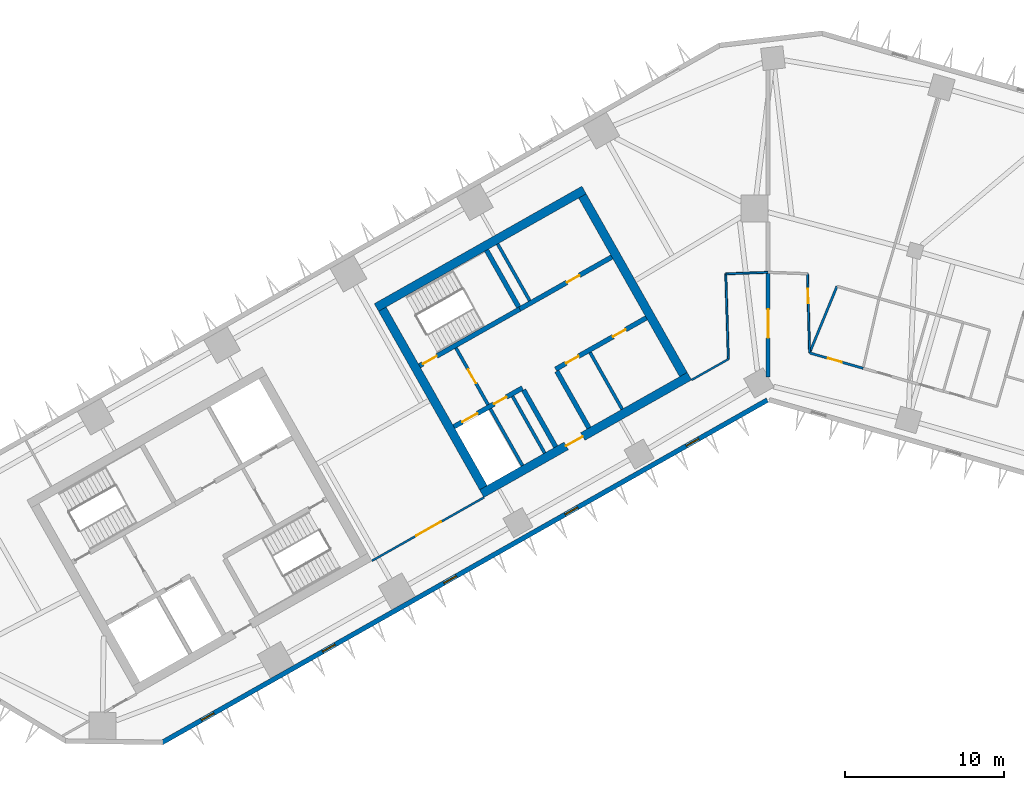
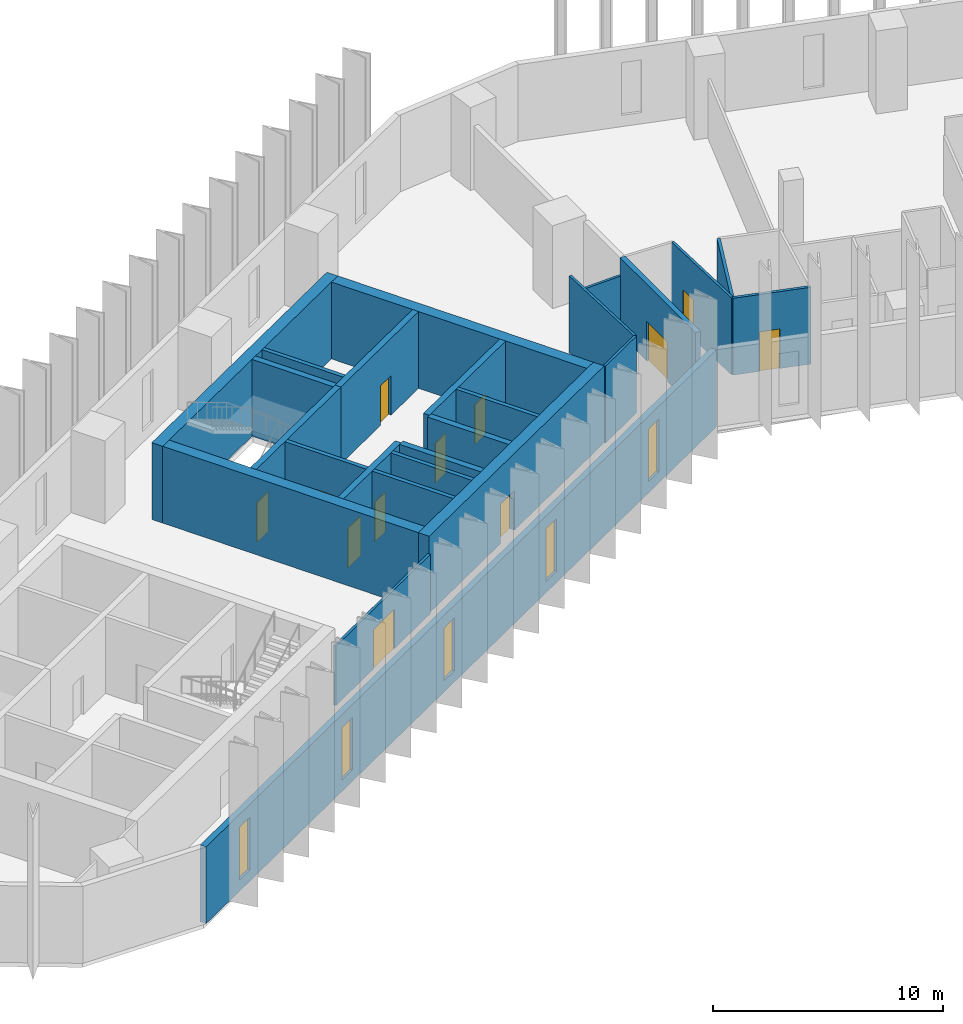
# One storey, part 4 of 11: 25 walls, 12 doors, 5 windows, 17 openings.
"""IFC4 building model written with IfcOpenShell, lengths in metres."""

from ifc_helpers import new_model, si_unit, direction, frame, frame_2d, origin, place, context, subcontext, project, spatial, rectangle, extrude, material, layer, layer_set, type_object, element, fill, save


model = new_model("IFC4")

# Units and contexts
model_context = context("Model", 3, precision=1e-05, world=origin(), true_north=direction((0.0, 1.0)))
body_context = subcontext(model_context, "Body", "Model", "MODEL_VIEW")
ifc_project = project(units=[si_unit("LENGTHUNIT", "METRE"), si_unit("AREAUNIT", "SQUARE_METRE"), si_unit("VOLUMEUNIT", "CUBIC_METRE"), si_unit("PLANEANGLEUNIT", "RADIAN"), si_unit("MASSUNIT", "GRAM", prefix="KILO")], contexts=[model_context])

# Site, building, storey
site_placement = place(None, origin())
site = spatial("IfcSite", under=ifc_project, at=site_placement, CompositionType="ELEMENT")
building_placement = place(site_placement, origin())
building = spatial("IfcBuilding", under=site, at=building_placement, Name="Binnacle Exchange Tower", CompositionType="ELEMENT")
storey_placement = place(building_placement, frame((0.0, 0.0, 114.699951171875)))
storey = spatial("IfcBuildingStorey", under=building, at=storey_placement, Name="L23", CompositionType="ELEMENT", Elevation=114.699951171875)

# Wall
ifc_material_1 = material(Name="Gypsum partition fire rated")
ifc_layer_1 = layer(ifc_material_1, 0.199951171875)
ifc_layer_set_1 = layer_set([ifc_layer_1], Name="Core partition 200")
wall_type_1 = type_object("IfcWallType", Name="Core partition 200", PredefinedType="PARTITIONING", material=ifc_layer_set_1)
wall_1_placement = place(storey_placement, frame((-11.201904296875, 50.96240234375, 0.0), z_axis=(0.0, 0.0, 1.0), x_axis=(0.492428039142, -0.870353161807, 0.0)))
element("IfcWall", 1, at=wall_1_placement, inside=storey, type_object=wall_type_1, Name="Core wall CRWC19", PredefinedType="PARTITIONING", context=body_context, shape_type="SweptSolid", body=[
    extrude(rectangle(XDim=4.10009765625, YDim=0.199951171875, at=frame_2d((2.050048828125, 0.0))), origin(), (0.0, 0.0, 1.0), 4.080078125),
])

# Wall, openings, doors
ifc_material_2 = material(Name="Concrete C70/85", Category="concrete")
ifc_layer_2 = layer(ifc_material_2, 0.300048828125)
ifc_layer_set_2 = layer_set([ifc_layer_2], Name="Core wall - front 300")
wall_type_2 = type_object("IfcWallType", Name="Core wall - front 300", PredefinedType="SOLIDWALL", material=ifc_layer_set_2)
wall_2_placement = place(storey_placement, frame((-19.76171875, 46.291748046875, 0.0), z_axis=(0.0, 0.0, 1.0), x_axis=(0.870359758983, 0.49241637863, 0.0)))
wall_2 = element("IfcWall", 2, at=wall_2_placement, inside=storey, type_object=wall_type_2, Name="Core wall CRWC2", PredefinedType="SOLIDWALL", context=body_context, shape_type="SweptSolid", body=[
    extrude(rectangle(XDim=4.9501953125, YDim=0.300048828125, at=frame_2d((2.47509765625, 0.0))), origin(), (0.0, 0.0, 1.0), 4.080078125),
])
opening_1_placement = place(wall_2_placement, frame((0.60009765625, 0.0, 0.0)))
opening_1 = element("IfcOpeningElement", 3, at=opening_1_placement, cuts=wall_2, Name="Opening LD14", PredefinedType="OPENING", context=body_context, shape_type="SweptSolid", body=[
    extrude(rectangle(XDim=1.10009765625, YDim=2.10009765625, at=frame_2d((0.550048828125, 1.050048828125))), frame((0.0, 0.159912109375, 0.0), z_axis=(0.0, -1.0, 0.0), x_axis=(1.0, 0.0, 0.0)), (0.0, 0.0, 1.0), 0.320068359375),
])
opening_2_placement = place(wall_2_placement, frame((2.89990234375, 0.0, 0.0)))
opening_2 = element("IfcOpeningElement", 4, at=opening_2_placement, cuts=wall_2, Name="Opening DC14", PredefinedType="OPENING", context=body_context, shape_type="SweptSolid", body=[
    extrude(rectangle(XDim=0.89990234375, YDim=2.10009765625, at=frame_2d((0.449951171875, 1.050048828125))), frame((0.0, 0.159912109375, 0.0), z_axis=(0.0, -1.0, 0.0), x_axis=(1.0, 0.0, 0.0)), (0.0, 0.0, 1.0), 0.320068359375),
])
ifc_material_3 = material(Name="Steel door leaf", Category="steel")
door_type_1 = type_object("IfcDoorType", Name="Fire door - lift landing 1100", OperationType="NOTDEFINED", PredefinedType="DOOR", material=ifc_material_3)
door_1_placement = place(opening_1_placement, origin())
door_1 = element("IfcDoor", 5, at=door_1_placement, inside=storey, type_object=door_type_1, Name="Landing door LD14 L23", OperationType="DOUBLE_DOOR_SLIDING", OverallHeight=2.10009765625, OverallWidth=1.10009765625, PredefinedType="DOOR", context=body_context, shape_type="SweptSolid", body=[
    extrude(rectangle(XDim=1.10009765625, YDim=2.10009765625, at=frame_2d((0.550048828125, 1.050048828125))), frame((0.0, 0.02490234375, 0.0), z_axis=(0.0, -1.0, 0.0), x_axis=(1.0, 0.0, 0.0)), (0.0, 0.0, 1.0), 0.050048828125),
])
fill(opening_1, door_1)
door_type_2 = type_object("IfcDoorType", Name="Fire door 900", OperationType="NOTDEFINED", PredefinedType="DOOR", material=ifc_material_3)
door_2_placement = place(opening_2_placement, frame((0.89990234375, 0.0, 0.0), z_axis=(0.0, 0.0, 1.0), x_axis=(-1.0, 0.0, 0.0)))
door_2 = element("IfcDoor", 6, at=door_2_placement, inside=storey, type_object=door_type_2, Name="Core room door UPS CUPBOARD", OperationType="SINGLE_SWING_LEFT", OverallHeight=2.10009765625, OverallWidth=0.89990234375, PredefinedType="DOOR", context=body_context, shape_type="SweptSolid", body=[
    extrude(rectangle(XDim=0.89990234375, YDim=2.10009765625, at=frame_2d((0.449951171875, 1.050048828125))), frame((0.0, 0.02490234375, 0.0), z_axis=(0.0, -1.0, 0.0), x_axis=(1.0, 0.0, 0.0)), (0.0, 0.0, 1.0), 0.050048828125),
])
fill(opening_2, door_2)

wall_3_placement = place(storey_placement, frame((-13.364501953125, 49.910888671875, 0.0), z_axis=(0.0, 0.0, 1.0), x_axis=(0.870336435567, 0.492457601144, 0.0)))
wall_3 = element("IfcWall", 7, at=wall_3_placement, inside=storey, type_object=wall_type_2, Name="Core wall CRWC3", PredefinedType="SOLIDWALL", context=body_context, shape_type="SweptSolid", body=[
    extrude(rectangle(XDim=6.550048828125, YDim=0.300048828125, at=frame_2d((3.27490234375, 0.0))), origin(), (0.0, 0.0, 1.0), 4.080078125),
])
opening_3_placement = place(wall_3_placement, frame((0.75, 0.0, 0.0)))
opening_3 = element("IfcOpeningElement", 8, at=opening_3_placement, cuts=wall_3, Name="Opening DC18", PredefinedType="OPENING", context=body_context, shape_type="SweptSolid", body=[
    extrude(rectangle(XDim=0.89990234375, YDim=2.10009765625, at=frame_2d((0.449951171875, 1.050048828125))), frame((0.0, 0.159912109375, 0.0), z_axis=(0.0, -1.0, 0.0), x_axis=(1.0, 0.0, 0.0)), (0.0, 0.0, 1.0), 0.320068359375),
])
opening_4_placement = place(wall_3_placement, frame((4.14990234375, 0.0, 0.0)))
opening_4 = element("IfcOpeningElement", 9, at=opening_4_placement, cuts=wall_3, Name="Opening DC19", PredefinedType="OPENING", context=body_context, shape_type="SweptSolid", body=[
    extrude(rectangle(XDim=0.89990234375, YDim=2.10009765625, at=frame_2d((0.449951171875, 1.050048828125))), frame((0.0, 0.159912109375, 0.0), z_axis=(0.0, -1.0, 0.0), x_axis=(1.0, 0.0, 0.0)), (0.0, 0.0, 1.0), 0.320068359375),
])
door_3_placement = place(opening_3_placement, frame((0.89990234375, 0.0, 0.0), z_axis=(0.0, 0.0, 1.0), x_axis=(-1.0, 0.0, 0.0)))
door_3 = element("IfcDoor", 10, at=door_3_placement, inside=storey, type_object=door_type_2, Name="Core room door FIBRE ENTRY ROOM", OperationType="SINGLE_SWING_RIGHT", OverallHeight=2.10009765625, OverallWidth=0.89990234375, PredefinedType="DOOR", context=body_context, shape_type="SweptSolid", body=[
    extrude(rectangle(XDim=0.89990234375, YDim=2.10009765625, at=frame_2d((0.449951171875, 1.050048828125))), frame((0.0, 0.02490234375, 0.0), z_axis=(0.0, -1.0, 0.0), x_axis=(1.0, 0.0, 0.0)), (0.0, 0.0, 1.0), 0.050048828125),
])
fill(opening_3, door_3)
door_4_placement = place(opening_4_placement, frame((0.89990234375, 0.0, 0.0), z_axis=(0.0, 0.0, 1.0), x_axis=(-1.0, 0.0, 0.0)))
door_4 = element("IfcDoor", 11, at=door_4_placement, inside=storey, type_object=door_type_2, Name="Core room door TELECOM RISER ROOM", OperationType="SINGLE_SWING_LEFT", OverallHeight=2.10009765625, OverallWidth=0.89990234375, PredefinedType="DOOR", context=body_context, shape_type="SweptSolid", body=[
    extrude(rectangle(XDim=0.89990234375, YDim=2.10009765625, at=frame_2d((0.449951171875, 1.050048828125))), frame((0.0, 0.02490234375, 0.0), z_axis=(0.0, -1.0, 0.0), x_axis=(1.0, 0.0, 0.0)), (0.0, 0.0, 1.0), 0.050048828125),
])
fill(opening_4, door_4)

# Wall, opening, door
wall_4_placement = place(storey_placement, frame((-15.6181640625, 53.69140625, 0.0), z_axis=(0.0, 0.0, 1.0), x_axis=(0.870367894134, 0.492401999246, 0.0)))
wall_4 = element("IfcWall", 12, at=wall_4_placement, inside=storey, type_object=wall_type_2, Name="Core wall CRWC5", PredefinedType="SOLIDWALL", context=body_context, shape_type="SweptSolid", body=[
    extrude(rectangle(XDim=6.64990234375, YDim=0.300048828125, at=frame_2d((3.324951171875, 0.0))), origin(), (0.0, 0.0, 1.0), 4.080078125),
])
opening_5_placement = place(wall_4_placement, frame((3.400146484375, 0.0, 0.0)))
opening_5 = element("IfcOpeningElement", 13, at=opening_5_placement, cuts=wall_4, Name="Opening DC10", PredefinedType="OPENING", context=body_context, shape_type="SweptSolid", body=[
    extrude(rectangle(XDim=0.89990234375, YDim=2.10009765625, at=frame_2d((0.449951171875, 1.050048828125))), frame((0.0, 0.159912109375, 0.0), z_axis=(0.0, -1.0, 0.0), x_axis=(1.0, 0.0, 0.0)), (0.0, 0.0, 1.0), 0.320068359375),
])
door_5_placement = place(opening_5_placement, origin())
door_5 = element("IfcDoor", 14, at=door_5_placement, inside=storey, type_object=door_type_2, Name="Core room door WORKSHOP STORE", OperationType="SINGLE_SWING_RIGHT", OverallHeight=2.10009765625, OverallWidth=0.89990234375, PredefinedType="DOOR", context=body_context, shape_type="SweptSolid", body=[
    extrude(rectangle(XDim=0.89990234375, YDim=2.10009765625, at=frame_2d((0.449951171875, 1.050048828125))), frame((0.0, 0.02490234375, 0.0), z_axis=(0.0, -1.0, 0.0), x_axis=(1.0, 0.0, 0.0)), (0.0, 0.0, 1.0), 0.050048828125),
])
fill(opening_5, door_5)

# Walls
wall_5_placement = place(storey_placement, frame((-15.37939453125, 48.5986328125, 0.0), z_axis=(0.0, 0.0, 1.0), x_axis=(0.492408451753, -0.87036424366, 0.0)))
element("IfcWall", 15, at=wall_5_placement, inside=storey, type_object=wall_type_2, Name="Core wall CRWC13", PredefinedType="SOLIDWALL", context=body_context, shape_type="SweptSolid", body=[
    extrude(rectangle(XDim=4.099853515625, YDim=0.300048828125, at=frame_2d((2.0498046875, 0.0))), origin(), (0.0, 0.0, 1.0), 4.080078125),
])
wall_6_placement = place(storey_placement, frame((-13.29052734375, 49.780517578125, 0.0), z_axis=(0.0, 0.0, 1.0), x_axis=(0.492382931784, -0.870378681085, 0.0)))
element("IfcWall", 16, at=wall_6_placement, inside=storey, type_object=wall_type_2, Name="Core wall CRWC15", PredefinedType="SOLIDWALL", context=body_context, shape_type="SweptSolid", body=[
    extrude(rectangle(XDim=4.10009765625, YDim=0.300048828125, at=frame_2d((2.050048828125, 0.0))), origin(), (0.0, 0.0, 1.0), 4.080078125),
])

# Wall, opening, door
ifc_layer_3 = layer(ifc_material_2, 0.550048828125)
ifc_layer_set_3 = layer_set([ifc_layer_3], Name="Core wall - outer 550")
wall_type_3 = type_object("IfcWallType", Name="Core wall - outer 550", PredefinedType="SOLIDWALL", material=ifc_layer_set_3)
wall_7_placement = place(storey_placement, frame((-18.01220703125, 42.08251953125, 0.0), z_axis=(0.0, 0.0, 1.0), x_axis=(0.870360574057, 0.492414937962, 0.0)))
wall_7 = element("IfcWall", 17, at=wall_7_placement, inside=storey, type_object=wall_type_3, Name="Core wall CRWC1", PredefinedType="SOLIDWALL", context=body_context, shape_type="SweptSolid", body=[
    extrude(rectangle(XDim=15.0, YDim=0.550048828125, at=frame_2d((7.5, 0.0))), origin(), (0.0, 0.0, 1.0), 4.080078125),
])
opening_6_placement = place(wall_7_placement, frame((6.10009765625, 0.0, 0.0)))
opening_6 = element("IfcOpeningElement", 18, at=opening_6_placement, cuts=wall_7, Name="Opening DC7", PredefinedType="OPENING", context=body_context, shape_type="SweptSolid", body=[
    extrude(rectangle(XDim=1.199951171875, YDim=2.10009765625, at=frame_2d((0.60009765625, 1.050048828125))), frame((0.0, 0.284912109375, 0.0), z_axis=(0.0, -1.0, 0.0), x_axis=(1.0, 0.0, 0.0)), (0.0, 0.0, 1.0), 0.570068359375),
])
door_type_3 = type_object("IfcDoorType", Name="Fire door 1200", OperationType="NOTDEFINED", PredefinedType="DOOR", material=ifc_material_3)
door_6_placement = place(opening_6_placement, frame((1.199951171875, 0.0, 0.0), z_axis=(0.0, 0.0, 1.0), x_axis=(-1.0, 0.0, 0.0)))
door_6 = element("IfcDoor", 19, at=door_6_placement, inside=storey, type_object=door_type_3, Name="Lift lobby entrance door core C", OperationType="SINGLE_SWING_RIGHT", OverallHeight=2.10009765625, OverallWidth=1.199951171875, PredefinedType="DOOR", context=body_context, shape_type="SweptSolid", body=[
    extrude(rectangle(XDim=1.199951171875, YDim=2.10009765625, at=frame_2d((0.60009765625, 1.050048828125))), frame((0.0, 0.02490234375, 0.0), z_axis=(0.0, -1.0, 0.0), x_axis=(1.0, 0.0, 0.0)), (0.0, 0.0, 1.0), 0.050048828125),
])
fill(opening_6, door_6)

# Walls
wall_8_placement = place(storey_placement, frame((-24.63525390625, 53.788818359375, 0.0), z_axis=(0.0, 0.0, 1.0), x_axis=(0.870360574057, 0.492414937962, 0.0)))
element("IfcWall", 20, at=wall_8_placement, inside=storey, type_object=wall_type_3, Name="Core wall CRWC6", PredefinedType="SOLIDWALL", context=body_context, shape_type="SweptSolid", body=[
    extrude(rectangle(XDim=15.0, YDim=0.550048828125, at=frame_2d((7.5, 0.0))), origin(), (0.0, 0.0, 1.0), 4.080078125),
])
for number, where, z_axis, x_axis, name in (
    (21, (-24.260498046875, 53.684814453125, 0.0), (0.0, 0.0, 1.0), (0.492427022044, -0.870353737259, 0.0), "Core wall CRWC7"),
    (22, (-11.683837890625, 60.80029296875, 0.0), (0.0, 0.0, 1.0), (0.492427022044, -0.870353737259, 0.0), "Core wall CRWC24"),
):
    element("IfcWall", number, at=place(storey_placement, frame(where, z_axis=z_axis, x_axis=x_axis)), inside=storey, type_object=wall_type_3, Name=name, PredefinedType="SOLIDWALL", context=body_context, shape_type="SweptSolid", body=[
        extrude(rectangle(XDim=12.89990234375, YDim=0.550048828125, at=frame_2d((6.449951171875, 0.0))), origin(), (0.0, 0.0, 1.0), 4.080078125),
    ])

# Wall, opening, door
ifc_layer_4 = layer(ifc_material_2, 0.300048828125)
ifc_layer_set_4 = layer_set([ifc_layer_4], Name="Core wall - stair 300")
wall_type_4 = type_object("IfcWallType", Name="Core wall - stair 300", PredefinedType="SOLIDWALL", material=ifc_layer_set_4)
wall_9_placement = place(storey_placement, frame((-21.92822265625, 50.12109375, 0.0), z_axis=(0.0, 0.0, 1.0), x_axis=(0.870340732628, 0.49245000673, 0.0)))
wall_9 = element("IfcWall", 23, at=wall_9_placement, inside=storey, type_object=wall_type_4, Name="Core wall CRWC4", PredefinedType="SOLIDWALL", context=body_context, shape_type="SweptSolid", body=[
    extrude(rectangle(XDim=7.25, YDim=0.300048828125, at=frame_2d((3.625, 0.0))), origin(), (0.0, 0.0, 1.0), 4.080078125),
])
opening_7_placement = place(wall_9_placement, frame((0.25, 0.0, 0.0)))
opening_7 = element("IfcOpeningElement", 24, at=opening_7_placement, cuts=wall_9, Name="Opening DC1", PredefinedType="OPENING", context=body_context, shape_type="SweptSolid", body=[
    extrude(rectangle(XDim=1.0, YDim=2.10009765625, at=frame_2d((0.5, 1.050048828125))), frame((0.0, 0.159912109375, 0.0), z_axis=(0.0, -1.0, 0.0), x_axis=(1.0, 0.0, 0.0)), (0.0, 0.0, 1.0), 0.320068359375),
])
door_type_4 = type_object("IfcDoorType", Name="Fire door 1000", OperationType="NOTDEFINED", PredefinedType="DOOR", material=ifc_material_3)
door_7_placement = place(opening_7_placement, origin())
door_7 = element("IfcDoor", 25, at=door_7_placement, inside=storey, type_object=door_type_4, Name="Stair door ST-C1", OperationType="SINGLE_SWING_LEFT", OverallHeight=2.10009765625, OverallWidth=1.0, PredefinedType="DOOR", context=body_context, shape_type="SweptSolid", body=[
    extrude(rectangle(XDim=1.0, YDim=2.10009765625, at=frame_2d((0.5, 1.050048828125))), frame((0.0, 0.02490234375, 0.0), z_axis=(0.0, -1.0, 0.0), x_axis=(1.0, 0.0, 0.0)), (0.0, 0.0, 1.0), 0.050048828125),
])
fill(opening_7, door_7)

# Wall
wall_10_placement = place(storey_placement, frame((-17.7109375, 57.390380859375, 0.0), z_axis=(0.0, 0.0, 1.0), x_axis=(0.492408451753, -0.87036424366, 0.0)))
element("IfcWall", 26, at=wall_10_placement, inside=storey, type_object=wall_type_4, Name="Core wall CRWC14", PredefinedType="SOLIDWALL", context=body_context, shape_type="SweptSolid", body=[
    extrude(rectangle(XDim=4.099853515625, YDim=0.300048828125, at=frame_2d((2.0498046875, 0.0))), origin(), (0.0, 0.0, 1.0), 4.080078125),
])

# Wall, openings, windows
ifc_material_4 = material(Name="Bronze aluminium cladding", Category="aluminium")
ifc_layer_5 = layer(ifc_material_4, 0.300048828125)
ifc_layer_set_5 = layer_set([ifc_layer_5], Name="External wall - spandrel 300")
wall_type_5 = type_object("IfcWallType", Name="External wall - spandrel 300", PredefinedType="STANDARD", material=ifc_layer_set_5)
wall_11_placement = place(storey_placement, frame((-0.0546875, 47.968994140625, 0.0), z_axis=(0.0, 0.0, 1.0), x_axis=(-0.870355730478, -0.492423499058, 0.0)))
wall_11 = element("IfcWall", 27, at=wall_11_placement, inside=storey, type_object=wall_type_5, Name="External wall EW-F07 L23", PredefinedType="STANDARD", context=body_context, shape_type="SweptSolid", body=[
    extrude(rectangle(XDim=43.750244140625, YDim=0.300048828125, at=frame_2d((21.875, 0.0))), origin(), (0.0, 0.0, 1.0), 4.080078125),
])
opening_8_placement = place(wall_11_placement, frame((39.976806640625, 0.0, 0.60009765625)))
opening_8 = element("IfcOpeningElement", 28, at=opening_8_placement, cuts=wall_11, Name="Opening WS2", PredefinedType="OPENING", context=body_context, shape_type="SweptSolid", body=[
    extrude(rectangle(XDim=0.89990234375, YDim=2.800048828125, at=frame_2d((0.449951171875, 1.39990234375))), frame((0.0, 0.159912109375, 0.0), z_axis=(0.0, -1.0, 0.0), x_axis=(1.0, 0.0, 0.0)), (0.0, 0.0, 1.0), 0.320068359375),
])
opening_9_placement = place(wall_11_placement, frame((31.222412109375, 0.0, 0.60009765625)))
opening_9 = element("IfcOpeningElement", 29, at=opening_9_placement, cuts=wall_11, Name="Opening WS2", PredefinedType="OPENING", context=body_context, shape_type="SweptSolid", body=[
    extrude(rectangle(XDim=0.89990234375, YDim=2.800048828125, at=frame_2d((0.449951171875, 1.39990234375))), frame((0.0, 0.159912109375, 0.0), z_axis=(0.0, -1.0, 0.0), x_axis=(1.0, 0.0, 0.0)), (0.0, 0.0, 1.0), 0.320068359375),
])
opening_10_placement = place(wall_11_placement, frame((22.4677734375, 0.0, 0.60009765625)))
opening_10 = element("IfcOpeningElement", 30, at=opening_10_placement, cuts=wall_11, Name="Opening WS2", PredefinedType="OPENING", context=body_context, shape_type="SweptSolid", body=[
    extrude(rectangle(XDim=0.89990234375, YDim=2.800048828125, at=frame_2d((0.449951171875, 1.39990234375))), frame((0.0, 0.159912109375, 0.0), z_axis=(0.0, -1.0, 0.0), x_axis=(1.0, 0.0, 0.0)), (0.0, 0.0, 1.0), 0.320068359375),
])
opening_11_placement = place(wall_11_placement, frame((13.713134765625, 0.0, 0.60009765625)))
opening_11 = element("IfcOpeningElement", 31, at=opening_11_placement, cuts=wall_11, Name="Opening WS2", PredefinedType="OPENING", context=body_context, shape_type="SweptSolid", body=[
    extrude(rectangle(XDim=0.89990234375, YDim=2.800048828125, at=frame_2d((0.449951171875, 1.39990234375))), frame((0.0, 0.159912109375, 0.0), z_axis=(0.0, -1.0, 0.0), x_axis=(1.0, 0.0, 0.0)), (0.0, 0.0, 1.0), 0.320068359375),
])
opening_12_placement = place(wall_11_placement, frame((4.958740234375, 0.0, 0.60009765625)))
opening_12 = element("IfcOpeningElement", 32, at=opening_12_placement, cuts=wall_11, Name="Opening WS2", PredefinedType="OPENING", context=body_context, shape_type="SweptSolid", body=[
    extrude(rectangle(XDim=0.89990234375, YDim=2.800048828125, at=frame_2d((0.449951171875, 1.39990234375))), frame((0.0, 0.159912109375, 0.0), z_axis=(0.0, -1.0, 0.0), x_axis=(1.0, 0.0, 0.0)), (0.0, 0.0, 1.0), 0.320068359375),
])
ifc_material_5 = material(Name="Bronze anodised aluminium frame", Category="aluminium")
window_type = type_object("IfcWindowType", Name="WS2 WINDOW 900x2800", PartitioningType="SINGLE_PANEL", PredefinedType="WINDOW", material=ifc_material_5)
window_1_placement = place(opening_8_placement, origin())
window_1 = element("IfcWindow", 33, at=window_1_placement, inside=storey, type_object=window_type, Name="Window WS2 L23", OverallHeight=2.800048828125, OverallWidth=0.89990234375, PartitioningType="SINGLE_PANEL", PredefinedType="WINDOW", context=body_context, shape_type="SweptSolid", body=[
    extrude(rectangle(XDim=0.89990234375, YDim=2.800048828125, at=frame_2d((0.449951171875, 1.39990234375))), frame((0.0, 0.030029296875, 0.0), z_axis=(0.0, -1.0, 0.0), x_axis=(1.0, 0.0, 0.0)), (0.0, 0.0, 1.0), 0.06005859375),
])
fill(opening_8, window_1)
window_2_placement = place(opening_9_placement, origin())
window_2 = element("IfcWindow", 34, at=window_2_placement, inside=storey, type_object=window_type, Name="Window WS2 L23", OverallHeight=2.800048828125, OverallWidth=0.89990234375, PartitioningType="SINGLE_PANEL", PredefinedType="WINDOW", context=body_context, shape_type="SweptSolid", body=[
    extrude(rectangle(XDim=0.89990234375, YDim=2.800048828125, at=frame_2d((0.449951171875, 1.39990234375))), frame((0.0, 0.030029296875, 0.0), z_axis=(0.0, -1.0, 0.0), x_axis=(1.0, 0.0, 0.0)), (0.0, 0.0, 1.0), 0.06005859375),
])
fill(opening_9, window_2)
window_3_placement = place(opening_10_placement, origin())
window_3 = element("IfcWindow", 35, at=window_3_placement, inside=storey, type_object=window_type, Name="Window WS2 L23", OverallHeight=2.800048828125, OverallWidth=0.89990234375, PartitioningType="SINGLE_PANEL", PredefinedType="WINDOW", context=body_context, shape_type="SweptSolid", body=[
    extrude(rectangle(XDim=0.89990234375, YDim=2.800048828125, at=frame_2d((0.449951171875, 1.39990234375))), frame((0.0, 0.030029296875, 0.0), z_axis=(0.0, -1.0, 0.0), x_axis=(1.0, 0.0, 0.0)), (0.0, 0.0, 1.0), 0.06005859375),
])
fill(opening_10, window_3)
window_4_placement = place(opening_11_placement, origin())
window_4 = element("IfcWindow", 36, at=window_4_placement, inside=storey, type_object=window_type, Name="Window WS2 L23", OverallHeight=2.800048828125, OverallWidth=0.89990234375, PartitioningType="SINGLE_PANEL", PredefinedType="WINDOW", context=body_context, shape_type="SweptSolid", body=[
    extrude(rectangle(XDim=0.89990234375, YDim=2.800048828125, at=frame_2d((0.449951171875, 1.39990234375))), frame((0.0, 0.030029296875, 0.0), z_axis=(0.0, -1.0, 0.0), x_axis=(1.0, 0.0, 0.0)), (0.0, 0.0, 1.0), 0.06005859375),
])
fill(opening_11, window_4)
window_5_placement = place(opening_12_placement, origin())
window_5 = element("IfcWindow", 37, at=window_5_placement, inside=storey, type_object=window_type, Name="Window WS2 L23", OverallHeight=2.800048828125, OverallWidth=0.89990234375, PartitioningType="SINGLE_PANEL", PredefinedType="WINDOW", context=body_context, shape_type="SweptSolid", body=[
    extrude(rectangle(XDim=0.89990234375, YDim=2.800048828125, at=frame_2d((0.449951171875, 1.39990234375))), frame((0.0, 0.030029296875, 0.0), z_axis=(0.0, -1.0, 0.0), x_axis=(1.0, 0.0, 0.0)), (0.0, 0.0, 1.0), 0.06005859375),
])
fill(opening_12, window_5)

# Wall, opening, door
ifc_material_6 = material(Name="Concrete fire wall C30/37", Category="concrete")
ifc_layer_6 = layer(ifc_material_6, 0.25)
ifc_layer_set_6 = layer_set([ifc_layer_6], Name="Fire wall - compartment 250")
wall_type_6 = type_object("IfcWallType", Name="Fire wall - compartment 250", PredefinedType="PARTITIONING", material=ifc_layer_set_6)
wall_12_placement = place(storey_placement, frame((0.0, 49.422119140625, 0.0), z_axis=(0.0, 0.0, 1.0), x_axis=(0.0, 1.0, 0.0)))
wall_12 = element("IfcWall", 38, at=wall_12_placement, inside=storey, type_object=wall_type_6, Name="Fire Wall W08", PredefinedType="PARTITIONING", context=body_context, shape_type="SweptSolid", body=[
    extrude(rectangle(XDim=6.577880859375, YDim=0.25, at=frame_2d((3.2890625, 0.0))), origin(), (0.0, 0.0, 1.0), 4.080078125),
])
opening_13_placement = place(wall_12_placement, frame((2.449951171875, 0.0, 0.0)))
opening_13 = element("IfcOpeningElement", 39, at=opening_13_placement, cuts=wall_12, Name="Opening DL22-12", PredefinedType="OPENING", context=body_context, shape_type="SweptSolid", body=[
    extrude(rectangle(XDim=1.800048828125, YDim=2.10009765625, at=frame_2d((0.89990234375, 1.050048828125))), frame((0.0, 0.135009765625, 0.0), z_axis=(0.0, -1.0, 0.0), x_axis=(1.0, 0.0, 0.0)), (0.0, 0.0, 1.0), 0.27001953125),
])
door_type_5 = type_object("IfcDoorType", Name="Fire door 1800", OperationType="NOTDEFINED", PredefinedType="DOOR", material=ifc_material_3)
door_8_placement = place(opening_13_placement, origin())
door_8 = element("IfcDoor", 40, at=door_8_placement, inside=storey, type_object=door_type_5, Name="Door DL22-12", OperationType="DOUBLE_DOOR_SINGLE_SWING", OverallHeight=2.10009765625, OverallWidth=1.800048828125, PredefinedType="DOOR", context=body_context, shape_type="SweptSolid", body=[
    extrude(rectangle(XDim=1.800048828125, YDim=2.10009765625, at=frame_2d((0.89990234375, 1.050048828125))), frame((0.0, 0.02490234375, 0.0), z_axis=(0.0, -1.0, 0.0), x_axis=(1.0, 0.0, 0.0)), (0.0, 0.0, 1.0), 0.050048828125),
])
fill(opening_13, door_8)

ifc_material_7 = material(Name="Masonry block wall", Category="masonry")
ifc_layer_7 = layer(ifc_material_7, 0.199951171875)
ifc_layer_set_7 = layer_set([ifc_layer_7], Name="Fire wall - vestibule 200")
wall_type_7 = type_object("IfcWallType", Name="Fire wall - vestibule 200", PredefinedType="PARTITIONING", material=ifc_layer_set_7)
wall_13_placement = place(storey_placement, frame((-19.635009765625, 51.246337890625, 0.0), z_axis=(0.0, 0.0, 1.0), x_axis=(0.492408451753, -0.87036424366, 0.0)))
wall_13 = element("IfcWall", 41, at=wall_13_placement, inside=storey, type_object=wall_type_7, Name="Core wall CRWC10", PredefinedType="PARTITIONING", context=body_context, shape_type="SweptSolid", body=[
    extrude(rectangle(XDim=4.099853515625, YDim=0.199951171875, at=frame_2d((2.0498046875, 0.0))), origin(), (0.0, 0.0, 1.0), 4.080078125),
])
opening_14_placement = place(wall_13_placement, frame((1.550048828125, 0.0, 0.0)))
opening_14 = element("IfcOpeningElement", 42, at=opening_14_placement, cuts=wall_13, Name="Opening DC3", PredefinedType="OPENING", context=body_context, shape_type="SweptSolid", body=[
    extrude(rectangle(XDim=1.0, YDim=2.10009765625, at=frame_2d((0.5, 1.050048828125))), frame((0.0, 0.10986328125, 0.0), z_axis=(0.0, -1.0, 0.0), x_axis=(1.0, 0.0, 0.0)), (0.0, 0.0, 1.0), 0.219970703125),
])
door_9_placement = place(opening_14_placement, frame((1.0, 0.0, 0.0), z_axis=(0.0, 0.0, 1.0), x_axis=(-1.0, 0.0, 0.0)))
door_9 = element("IfcDoor", 43, at=door_9_placement, inside=storey, type_object=door_type_4, Name="Vestibule door VEST-W", OperationType="SINGLE_SWING_RIGHT", OverallHeight=2.10009765625, OverallWidth=1.0, PredefinedType="DOOR", context=body_context, shape_type="SweptSolid", body=[
    extrude(rectangle(XDim=1.0, YDim=2.10009765625, at=frame_2d((0.5, 1.050048828125))), frame((0.0, 0.02490234375, 0.0), z_axis=(0.0, -1.0, 0.0), x_axis=(1.0, 0.0, 0.0)), (0.0, 0.0, 1.0), 0.050048828125),
])
fill(opening_14, door_9)

# Wall
ifc_layer_8 = layer(ifc_material_1, 0.14990234375)
ifc_layer_set_8 = layer_set([ifc_layer_8], Name="Fire-rated partition 150")
wall_type_8 = type_object("IfcWallType", Name="Fire-rated partition 150", PredefinedType="PARTITIONING", material=ifc_layer_set_8)
wall_14_placement = place(storey_placement, frame((2.60107421875, 50.931884765625, 0.0), z_axis=(0.0, 0.0, 1.0), x_axis=(0.380066317543, 0.924959239247, 0.0)))
element("IfcWall", 44, at=wall_14_placement, inside=storey, type_object=wall_type_8, Name="Partition W13", PredefinedType="PARTITIONING", context=body_context, shape_type="SweptSolid", body=[
    extrude(rectangle(XDim=4.528076171875, YDim=0.14990234375, at=frame_2d((2.26416015625, 0.0))), origin(), (0.0, 0.0, 1.0), 4.080078125),
])

# Wall, opening, door
wall_15_placement = place(storey_placement, frame((2.60107421875, 50.931884765625, 0.0), z_axis=(0.0, 0.0, 1.0), x_axis=(0.961265606965, -0.27562371608, 0.0)))
wall_15 = element("IfcWall", 45, at=wall_15_placement, inside=storey, type_object=wall_type_8, Name="Partition W14", PredefinedType="PARTITIONING", context=body_context, shape_type="SweptSolid", body=[
    extrude(rectangle(XDim=3.50048828125, YDim=0.14990234375, at=frame_2d((1.750244140625, 0.0))), origin(), (0.0, 0.0, 1.0), 4.080078125),
])
opening_15_placement = place(wall_15_placement, frame((1.199951171875, 0.0, 0.0)))
opening_15 = element("IfcOpeningElement", 46, at=opening_15_placement, cuts=wall_15, Name="Opening DL22-03", PredefinedType="OPENING", context=body_context, shape_type="SweptSolid", body=[
    extrude(rectangle(XDim=0.89990234375, YDim=2.10009765625, at=frame_2d((0.449951171875, 1.050048828125))), frame((0.0, 0.0849609375, 0.0), z_axis=(0.0, -1.0, 0.0), x_axis=(1.0, 0.0, 0.0)), (0.0, 0.0, 1.0), 0.169921875),
])
door_10_placement = place(opening_15_placement, origin())
door_10 = element("IfcDoor", 47, at=door_10_placement, inside=storey, type_object=door_type_2, Name="Door DL22-03", OperationType="SINGLE_SWING_LEFT", OverallHeight=2.10009765625, OverallWidth=0.89990234375, PredefinedType="DOOR", context=body_context, shape_type="SweptSolid", body=[
    extrude(rectangle(XDim=0.89990234375, YDim=2.10009765625, at=frame_2d((0.449951171875, 1.050048828125))), frame((0.0, 0.02490234375, 0.0), z_axis=(0.0, -1.0, 0.0), x_axis=(1.0, 0.0, 0.0)), (0.0, 0.0, 1.0), 0.050048828125),
])
fill(opening_15, door_10)

ifc_material_8 = material(Name="Gypsum partition")
ifc_layer_9 = layer(ifc_material_8, 0.125)
ifc_layer_set_9 = layer_set([ifc_layer_9], Name="Partition 125")
wall_type_9 = type_object("IfcWallType", Name="Partition 125", PredefinedType="PARTITIONING", material=ifc_layer_set_9)
wall_16_placement = place(storey_placement, frame((-24.9189453125, 37.85888671875, 0.0), z_axis=(0.0, 0.0, 1.0), x_axis=(0.870357635969, 0.492420131098, 0.0)))
wall_16 = element("IfcWall", 48, at=wall_16_placement, inside=storey, type_object=wall_type_9, Name="Partition W04", PredefinedType="PARTITIONING", context=body_context, shape_type="SweptSolid", body=[
    extrude(rectangle(XDim=8.0908203125, YDim=0.125, at=frame_2d((4.04541015625, 0.0))), origin(), (0.0, 0.0, 1.0), 3.14794921875),
])
opening_16_placement = place(wall_16_placement, frame((3.199951171875, 0.0, 0.0)))
opening_16 = element("IfcOpeningElement", 49, at=opening_16_placement, cuts=wall_16, Name="Opening DL22-02", PredefinedType="OPENING", context=body_context, shape_type="SweptSolid", body=[
    extrude(rectangle(XDim=1.800048828125, YDim=2.10009765625, at=frame_2d((0.89990234375, 1.050048828125))), frame((0.0, 0.072509765625, 0.0), z_axis=(0.0, -1.0, 0.0), x_axis=(1.0, 0.0, 0.0)), (0.0, 0.0, 1.0), 0.14501953125),
])
ifc_material_9 = material(Name="Timber door leaf", Category="wood")
door_type_6 = type_object("IfcDoorType", Name="Double door 1800", OperationType="NOTDEFINED", PredefinedType="DOOR", material=ifc_material_9)
door_11_placement = place(opening_16_placement, origin())
door_11 = element("IfcDoor", 50, at=door_11_placement, inside=storey, type_object=door_type_6, Name="Door DL22-02", OperationType="DOUBLE_DOOR_SINGLE_SWING", OverallHeight=2.10009765625, OverallWidth=1.800048828125, PredefinedType="DOOR", context=body_context, shape_type="SweptSolid", body=[
    extrude(rectangle(XDim=1.800048828125, YDim=2.10009765625, at=frame_2d((0.89990234375, 1.050048828125))), frame((0.0, 0.02490234375, 0.0), z_axis=(0.0, -1.0, 0.0), x_axis=(1.0, 0.0, 0.0)), (0.0, 0.0, 1.0), 0.050048828125),
])
fill(opening_16, door_11)

# Walls
wall_17_placement = place(storey_placement, frame((-4.821044921875, 49.22998046875, 0.0), z_axis=(0.0, 0.0, 1.0), x_axis=(0.870371217631, 0.492396124598, 0.0)))
element("IfcWall", 51, at=wall_17_placement, inside=storey, type_object=wall_type_9, Name="Partition W05", PredefinedType="PARTITIONING", context=body_context, shape_type="SweptSolid", body=[
    extrude(rectangle(XDim=2.65869140625, YDim=0.125, at=frame_2d((1.329345703125, 0.0))), origin(), (0.0, 0.0, 1.0), 4.080078125),
])
wall_18_placement = place(storey_placement, frame((-2.669921875, 55.904052734375, 0.0), z_axis=(0.0, 0.0, 1.0), x_axis=(0.030338701418, -0.999539675649, 0.0)))
element("IfcWall", 52, at=wall_18_placement, inside=storey, type_object=wall_type_9, Name="Partition W06", PredefinedType="PARTITIONING", context=body_context, shape_type="SweptSolid", body=[
    extrude(rectangle(XDim=5.367431640625, YDim=0.125, at=frame_2d((2.68359375, 0.0))), origin(), (0.0, 0.0, 1.0), 4.080078125),
])
wall_19_placement = place(storey_placement, frame((-2.669921875, 55.904052734375, 0.0), z_axis=(0.0, 0.0, 1.0), x_axis=(0.999354913865, 0.03591317494, 0.0)))
element("IfcWall", 53, at=wall_19_placement, inside=storey, type_object=wall_type_9, Name="Partition W07", PredefinedType="PARTITIONING", context=body_context, shape_type="SweptSolid", body=[
    extrude(rectangle(XDim=2.671630859375, YDim=0.125, at=frame_2d((1.3359375, 0.0))), origin(), (0.0, 0.0, 1.0), 3.14208984375),
])

# Wall, opening, door
wall_20_placement = place(storey_placement, frame((2.468994140625, 55.910888671875, 0.0), z_axis=(0.0, 0.0, 1.0), x_axis=(0.02651808123, -0.999648333849, 0.0)))
wall_20 = element("IfcWall", 54, at=wall_20_placement, inside=storey, type_object=wall_type_9, Name="Partition W12", PredefinedType="PARTITIONING", context=body_context, shape_type="SweptSolid", body=[
    extrude(rectangle(XDim=4.980712890625, YDim=0.125, at=frame_2d((2.490234375, 0.0))), origin(), (0.0, 0.0, 1.0), 4.080078125),
])
opening_17_placement = place(wall_20_placement, frame((0.949951171875, 0.0, 0.0)))
opening_17 = element("IfcOpeningElement", 55, at=opening_17_placement, cuts=wall_20, Name="Opening DL22-07", PredefinedType="OPENING", context=body_context, shape_type="SweptSolid", body=[
    extrude(rectangle(XDim=0.89990234375, YDim=2.10009765625, at=frame_2d((0.449951171875, 1.050048828125))), frame((0.0, 0.072509765625, 0.0), z_axis=(0.0, -1.0, 0.0), x_axis=(1.0, 0.0, 0.0)), (0.0, 0.0, 1.0), 0.14501953125),
])
door_type_7 = type_object("IfcDoorType", Name="Door 900", OperationType="NOTDEFINED", PredefinedType="DOOR", material=ifc_material_9)
door_12_placement = place(opening_17_placement, origin())
door_12 = element("IfcDoor", 56, at=door_12_placement, inside=storey, type_object=door_type_7, Name="Door DL22-07", OperationType="SINGLE_SWING_LEFT", OverallHeight=2.10009765625, OverallWidth=0.89990234375, PredefinedType="DOOR", context=body_context, shape_type="SweptSolid", body=[
    extrude(rectangle(XDim=0.89990234375, YDim=2.10009765625, at=frame_2d((0.449951171875, 1.050048828125))), frame((0.0, 0.02490234375, 0.0), z_axis=(0.0, -1.0, 0.0), x_axis=(1.0, 0.0, 0.0)), (0.0, 0.0, 1.0), 0.050048828125),
])
fill(opening_17, door_12)

# Walls
ifc_layer_10 = layer(ifc_material_7, 0.199951171875)
ifc_layer_set_10 = layer_set([ifc_layer_10], Name="Riser wall 200")
wall_type_10 = type_object("IfcWallType", Name="Riser wall 200", PredefinedType="SOLIDWALL", material=ifc_layer_set_10)
for number, where, z_axis, x_axis, name in (
    (57, (-16.07568359375, 48.20458984375, 0.0), (0.0, 0.0, 1.0), (0.492408451753, -0.87036424366, 0.0), "Core wall CRWC12"),
    (58, (-17.0146484375, 57.7841796875, 0.0), (0.0, 0.0, 1.0), (0.492408451753, -0.87036424366, 0.0), "Core wall CRWC16"),
):
    element("IfcWall", number, at=place(storey_placement, frame(where, z_axis=z_axis, x_axis=x_axis)), inside=storey, type_object=wall_type_10, Name=name, PredefinedType="SOLIDWALL", context=body_context, shape_type="SweptSolid", body=[
        extrude(rectangle(XDim=4.099853515625, YDim=0.199951171875, at=frame_2d((2.0498046875, 0.0))), origin(), (0.0, 0.0, 1.0), 4.080078125),
    ])
ifc_layer_11 = layer(ifc_material_7, 0.199951171875)
ifc_layer_set_11 = layer_set([ifc_layer_11], Name="Shaft wall 200")
wall_type_11 = type_object("IfcWallType", Name="Shaft wall 200", PredefinedType="SOLIDWALL", material=ifc_layer_set_11)
wall_21_placement = place(storey_placement, frame((-17.468505859375, 47.416748046875, 0.0), z_axis=(0.0, 0.0, 1.0), x_axis=(0.492453559952, -0.87033872216, 0.0)))
element("IfcWall", 59, at=wall_21_placement, inside=storey, type_object=wall_type_11, Name="Core wall CRWC9", PredefinedType="SOLIDWALL", context=body_context, shape_type="SweptSolid", body=[
    extrude(rectangle(XDim=4.099853515625, YDim=0.199951171875, at=frame_2d((2.0498046875, 0.0))), origin(), (0.0, 0.0, 1.0), 4.080078125),
])

save(model, "model.ifc")
